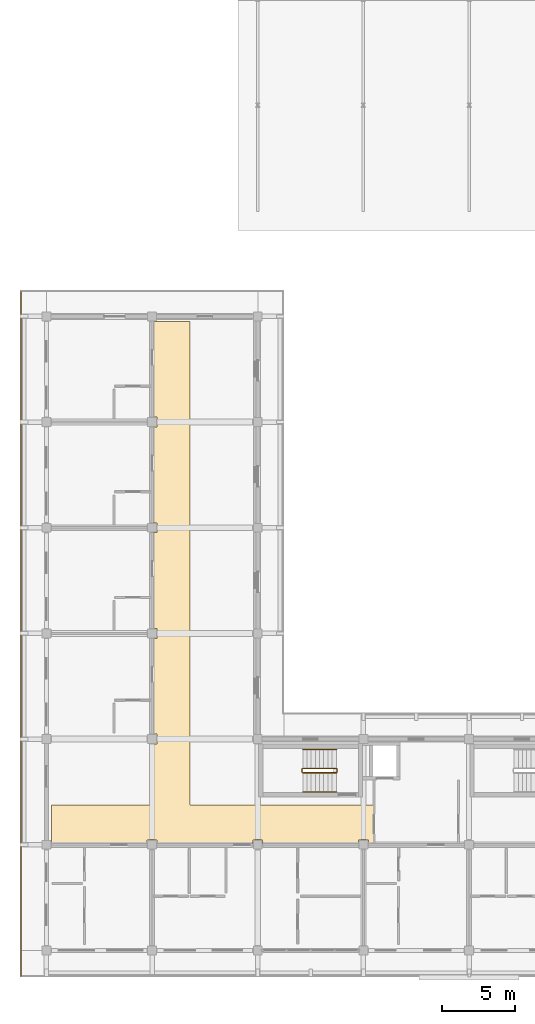
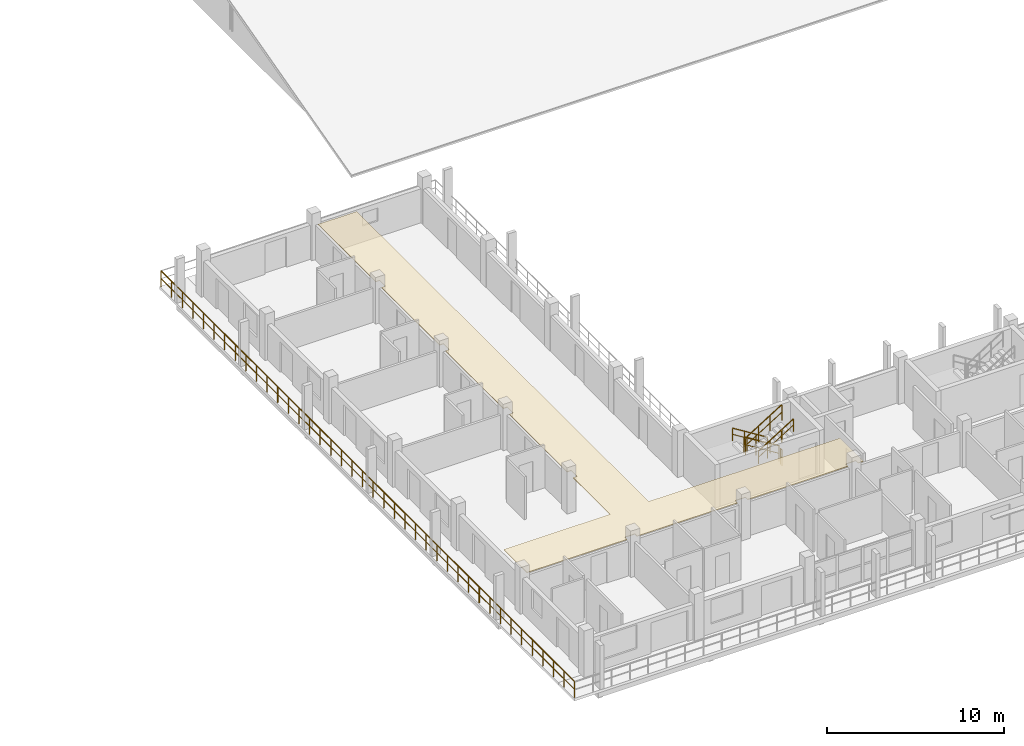
# One storey, part 144 of 157: 7 railings, 1 covering.
"""IFC4 building model written with IfcOpenShell, lengths in metres."""

from ifc_helpers import new_model, si_unit, direction, frame, origin, origin_2d, place, context, subcontext, project, spatial, polyline, rectangle, outline, extrude, material, layer, layer_set, type_object, element, save


model = new_model("IFC4")

# Units and contexts
model_context = context("Model", 3, precision=1e-05, world=origin(), true_north=direction((0.0, 1.0)))
body_context = subcontext(model_context, "Body", "Model", "MODEL_VIEW")
ifc_project = project(units=[si_unit("LENGTHUNIT", "METRE"), si_unit("AREAUNIT", "SQUARE_METRE"), si_unit("VOLUMEUNIT", "CUBIC_METRE"), si_unit("PLANEANGLEUNIT", "RADIAN"), si_unit("MASSUNIT", "GRAM", prefix="KILO")], contexts=[model_context])

# Site, building, storey
site_placement = place(None, origin())
site = spatial("IfcSite", under=ifc_project, at=site_placement, CompositionType="ELEMENT")
building_placement = place(site_placement, origin())
building = spatial("IfcBuilding", under=site, at=building_placement, Name="Suanplinth Sawtooth Commons", CompositionType="ELEMENT")
storey_placement = place(building_placement, frame((0.0, 0.0, 9.0)))
storey = spatial("IfcBuildingStorey", under=building, at=storey_placement, Name="L02", CompositionType="ELEMENT", Elevation=9.0)

# Covering
ifc_material_1 = material(Name="Mineral fibre acoustic tile")
ifc_layer = layer(ifc_material_1, 0.0400390625, Name="Perforated mineral-fibre acoustic suspended ceiling")
ifc_layer_set = layer_set([ifc_layer], Name="Mineral fibre acoustic tile")
covering_type = type_object("IfcCoveringType", Name="CV-CE01", PredefinedType="CEILING", material=ifc_layer_set)
covering_placement = place(storey_placement, frame((0.0, 0.0, 2.3798828125)))
element("IfcCovering", 1, at=covering_placement, inside=storey, type_object=covering_type, Name="L02 Block D Corridor Acoustic Ceiling", PredefinedType="CEILING", context=body_context, shape_type="SweptSolid", body=[
    extrude(outline(polyline([(0.360107421875, 9.89990234375), (7.280029296875, 9.89990234375), (7.280029296875, 14.070068359375), (7.530029296875, 14.070068359375), (7.530029296875, 14.72998046875), (7.280029296875, 14.72998046875), (7.280029296875, 21.27001953125), (7.530029296875, 21.27001953125), (7.530029296875, 21.929931640625), (7.280029296875, 21.929931640625), (7.280029296875, 28.469970703125), (7.530029296875, 28.469970703125), (7.530029296875, 29.1298828125), (7.280029296875, 29.1298828125), (7.280029296875, 35.669921875), (7.530029296875, 35.669921875), (7.530029296875, 36.330078125), (7.280029296875, 36.330078125), (7.280029296875, 42.840087890625), (9.800048828125, 42.840087890625), (9.800048828125, 9.89990234375), (22.280029296875, 9.89990234375), (22.280029296875, 7.280029296875), (21.929931640625, 7.280029296875), (21.929931640625, 7.530029296875), (21.27001953125, 7.530029296875), (21.27001953125, 7.280029296875), (14.72998046875, 7.280029296875), (14.72998046875, 7.530029296875), (14.070068359375, 7.530029296875), (14.070068359375, 7.280029296875), (7.530029296875, 7.280029296875), (7.530029296875, 7.530029296875), (6.8701171875, 7.530029296875), (6.8701171875, 7.280029296875), (0.360107421875, 7.280029296875), (0.360107421875, 9.89990234375)])), origin(), (0.0, 0.0, 1.0), 0.0400390625),
])

# Railings
ifc_material_2 = material(Name="Powder-coated galvanized steel", Category="steel")
railing_type_1 = type_object("IfcRailingType", Name="GR-01", PredefinedType="BALUSTRADE", material=ifc_material_2)
railing_1_placement = place(storey_placement, frame((-1.739990234375, -1.739990234375, 0.0)))
element("IfcRailing", 2, at=railing_1_placement, inside=storey, type_object=railing_type_1, Name="L02 Block D Perimeter Balustrade 1", PredefinedType="BALUSTRADE", context=body_context, shape_type="SweptSolid", body=[
    extrude(rectangle(XDim=0.048095703125, YDim=0.048095703125, at=origin_2d()), frame((0.0, 0.0, 1.09619140625), z_axis=(0.0, 1.0, 0.0), x_axis=(-1.0, 0.0, 0.0)), (0.0, 0.0, 1.0), 46.679931640625),
    extrude(rectangle(XDim=0.03369140625, YDim=0.03369140625, at=origin_2d()), frame((0.0, 0.0, 0.56005859375), z_axis=(0.0, 1.0, 0.0), x_axis=(-1.0, 0.0, 0.0)), (0.0, 0.0, 1.0), 46.679931640625),
    extrude(rectangle(XDim=0.0419921875, YDim=0.0419921875, at=origin_2d()), origin(), (0.0, 0.0, 1.0), 1.072021484375),
    extrude(rectangle(XDim=0.0419921875, YDim=0.0419921875, at=origin_2d()), frame((0.0, 1.197021484375, 0.0)), (0.0, 0.0, 1.0), 1.072021484375),
    extrude(rectangle(XDim=0.0419921875, YDim=0.0419921875, at=origin_2d()), frame((0.0, 2.393798828125, 0.0)), (0.0, 0.0, 1.0), 1.072021484375),
    extrude(rectangle(XDim=0.0419921875, YDim=0.0419921875, at=origin_2d()), frame((0.0, 3.5908203125, 0.0)), (0.0, 0.0, 1.0), 1.072021484375),
    extrude(rectangle(XDim=0.0419921875, YDim=0.0419921875, at=origin_2d()), frame((0.0, 4.78759765625, 0.0)), (0.0, 0.0, 1.0), 1.072021484375),
    extrude(rectangle(XDim=0.0419921875, YDim=0.0419921875, at=origin_2d()), frame((0.0, 5.984619140625, 0.0)), (0.0, 0.0, 1.0), 1.072021484375),
    extrude(rectangle(XDim=0.0419921875, YDim=0.0419921875, at=origin_2d()), frame((0.0, 7.181640625, 0.0)), (0.0, 0.0, 1.0), 1.072021484375),
    extrude(rectangle(XDim=0.0419921875, YDim=0.0419921875, at=origin_2d()), frame((0.0, 8.37841796875, 0.0)), (0.0, 0.0, 1.0), 1.072021484375),
    extrude(rectangle(XDim=0.0419921875, YDim=0.0419921875, at=origin_2d()), frame((0.0, 9.575439453125, 0.0)), (0.0, 0.0, 1.0), 1.072021484375),
    extrude(rectangle(XDim=0.0419921875, YDim=0.0419921875, at=origin_2d()), frame((0.0, 10.772216796875, 0.0)), (0.0, 0.0, 1.0), 1.072021484375),
    extrude(rectangle(XDim=0.0419921875, YDim=0.0419921875, at=origin_2d()), frame((0.0, 11.96923828125, 0.0)), (0.0, 0.0, 1.0), 1.072021484375),
    extrude(rectangle(XDim=0.0419921875, YDim=0.0419921875, at=origin_2d()), frame((0.0, 13.166015625, 0.0)), (0.0, 0.0, 1.0), 1.072021484375),
    extrude(rectangle(XDim=0.0419921875, YDim=0.0419921875, at=origin_2d()), frame((0.0, 14.363037109375, 0.0)), (0.0, 0.0, 1.0), 1.072021484375),
    extrude(rectangle(XDim=0.0419921875, YDim=0.0419921875, at=origin_2d()), frame((0.0, 15.56005859375, 0.0)), (0.0, 0.0, 1.0), 1.072021484375),
    extrude(rectangle(XDim=0.0419921875, YDim=0.0419921875, at=origin_2d()), frame((0.0, 16.7568359375, 0.0)), (0.0, 0.0, 1.0), 1.072021484375),
    extrude(rectangle(XDim=0.0419921875, YDim=0.0419921875, at=origin_2d()), frame((0.0, 17.953857421875, 0.0)), (0.0, 0.0, 1.0), 1.072021484375),
    extrude(rectangle(XDim=0.0419921875, YDim=0.0419921875, at=origin_2d()), frame((0.0, 19.150634765625, 0.0)), (0.0, 0.0, 1.0), 1.072021484375),
    extrude(rectangle(XDim=0.0419921875, YDim=0.0419921875, at=origin_2d()), frame((0.0, 20.34765625, 0.0)), (0.0, 0.0, 1.0), 1.072021484375),
    extrude(rectangle(XDim=0.0419921875, YDim=0.0419921875, at=origin_2d()), frame((0.0, 21.544677734375, 0.0)), (0.0, 0.0, 1.0), 1.072021484375),
    extrude(rectangle(XDim=0.0419921875, YDim=0.0419921875, at=origin_2d()), frame((0.0, 22.741455078125, 0.0)), (0.0, 0.0, 1.0), 1.072021484375),
    extrude(rectangle(XDim=0.0419921875, YDim=0.0419921875, at=origin_2d()), frame((0.0, 23.9384765625, 0.0)), (0.0, 0.0, 1.0), 1.072021484375),
    extrude(rectangle(XDim=0.0419921875, YDim=0.0419921875, at=origin_2d()), frame((0.0, 25.13525390625, 0.0)), (0.0, 0.0, 1.0), 1.072021484375),
    extrude(rectangle(XDim=0.0419921875, YDim=0.0419921875, at=origin_2d()), frame((0.0, 26.332275390625, 0.0)), (0.0, 0.0, 1.0), 1.072021484375),
    extrude(rectangle(XDim=0.0419921875, YDim=0.0419921875, at=origin_2d()), frame((0.0, 27.529296875, 0.0)), (0.0, 0.0, 1.0), 1.072021484375),
    extrude(rectangle(XDim=0.0419921875, YDim=0.0419921875, at=origin_2d()), frame((0.0, 28.72607421875, 0.0)), (0.0, 0.0, 1.0), 1.072021484375),
    extrude(rectangle(XDim=0.0419921875, YDim=0.0419921875, at=origin_2d()), frame((0.0, 29.923095703125, 0.0)), (0.0, 0.0, 1.0), 1.072021484375),
    extrude(rectangle(XDim=0.0419921875, YDim=0.0419921875, at=origin_2d()), frame((0.0, 31.119873046875, 0.0)), (0.0, 0.0, 1.0), 1.072021484375),
    extrude(rectangle(XDim=0.0419921875, YDim=0.0419921875, at=origin_2d()), frame((0.0, 32.31689453125, 0.0)), (0.0, 0.0, 1.0), 1.072021484375),
    extrude(rectangle(XDim=0.0419921875, YDim=0.0419921875, at=origin_2d()), frame((0.0, 33.513916015625, 0.0)), (0.0, 0.0, 1.0), 1.072021484375),
    extrude(rectangle(XDim=0.0419921875, YDim=0.0419921875, at=origin_2d()), frame((0.0, 34.710693359375, 0.0)), (0.0, 0.0, 1.0), 1.072021484375),
    extrude(rectangle(XDim=0.0419921875, YDim=0.0419921875, at=origin_2d()), frame((0.0, 35.90771484375, 0.0)), (0.0, 0.0, 1.0), 1.072021484375),
    extrude(rectangle(XDim=0.0419921875, YDim=0.0419921875, at=origin_2d()), frame((0.0, 37.1044921875, 0.0)), (0.0, 0.0, 1.0), 1.072021484375),
    extrude(rectangle(XDim=0.0419921875, YDim=0.0419921875, at=origin_2d()), frame((0.0, 38.301513671875, 0.0)), (0.0, 0.0, 1.0), 1.072021484375),
    extrude(rectangle(XDim=0.0419921875, YDim=0.0419921875, at=origin_2d()), frame((0.0, 39.498291015625, 0.0)), (0.0, 0.0, 1.0), 1.072021484375),
    extrude(rectangle(XDim=0.0419921875, YDim=0.0419921875, at=origin_2d()), frame((0.0, 40.6953125, 0.0)), (0.0, 0.0, 1.0), 1.072021484375),
    extrude(rectangle(XDim=0.0419921875, YDim=0.0419921875, at=origin_2d()), frame((0.0, 41.892333984375, 0.0)), (0.0, 0.0, 1.0), 1.072021484375),
    extrude(rectangle(XDim=0.0419921875, YDim=0.0419921875, at=origin_2d()), frame((0.0, 43.089111328125, 0.0)), (0.0, 0.0, 1.0), 1.072021484375),
    extrude(rectangle(XDim=0.0419921875, YDim=0.0419921875, at=origin_2d()), frame((0.0, 44.2861328125, 0.0)), (0.0, 0.0, 1.0), 1.072021484375),
    extrude(rectangle(XDim=0.0419921875, YDim=0.0419921875, at=origin_2d()), frame((0.0, 45.48291015625, 0.0)), (0.0, 0.0, 1.0), 1.072021484375),
    extrude(rectangle(XDim=0.0419921875, YDim=0.0419921875, at=origin_2d()), frame((0.0, 46.679931640625, 0.0)), (0.0, 0.0, 1.0), 1.072021484375),
])
ifc_material_3 = material(Name="Stainless steel Grade 304", Category="steel")
railing_type_2 = type_object("IfcRailingType", Name="GR-04", PredefinedType="GUARDRAIL", material=ifc_material_3)
railing_2_placement = place(storey_placement, frame((19.75, 12.39990234375, 0.177734375)))
element("IfcRailing", 3, at=railing_2_placement, inside=storey, type_object=railing_type_2, Name="L02 ST-W1 Guard 1", PredefinedType="GUARDRAIL", context=body_context, shape_type="SweptSolid", body=[
    extrude(rectangle(XDim=0.048095703125, YDim=0.048095703125, at=origin_2d()), frame((0.0, 0.0, 1.076171875), z_axis=(-0.848442045328, 0.0, 0.529288291689), x_axis=(0.0, -1.0, 0.0)), (0.0, 0.0, 1.0), 2.687255859375),
    extrude(rectangle(XDim=0.03369140625, YDim=0.03369140625, at=origin_2d()), frame((0.0, 0.0, 0.550048828125), z_axis=(-0.848442045328, 0.0, 0.529288291689), x_axis=(0.0, -1.0, 0.0)), (0.0, 0.0, 1.0), 2.687255859375),
    extrude(rectangle(XDim=0.0419921875, YDim=0.0419921875, at=origin_2d()), origin(), (0.0, 0.0, 1.0), 1.052001953125),
    extrude(rectangle(XDim=0.0419921875, YDim=0.0419921875, at=origin_2d()), frame((-0.760009765625, 0.0, 0.47412109375)), (0.0, 0.0, 1.0), 1.052001953125),
    extrude(rectangle(XDim=0.0419921875, YDim=0.0419921875, at=origin_2d()), frame((-1.52001953125, 0.0, 0.9482421875)), (0.0, 0.0, 1.0), 1.052001953125),
    extrude(rectangle(XDim=0.0419921875, YDim=0.0419921875, at=origin_2d()), frame((-2.280029296875, 0.0, 1.42236328125)), (0.0, 0.0, 1.0), 1.052001953125),
])
railing_3_placement = place(storey_placement, frame((17.419921875, 12.35009765625, 1.60009765625)))
element("IfcRailing", 4, at=railing_3_placement, inside=storey, type_object=railing_type_2, Name="L02 ST-W1 Guard 2", PredefinedType="GUARDRAIL", context=body_context, shape_type="SweptSolid", body=[
    extrude(rectangle(XDim=0.048095703125, YDim=0.048095703125, at=origin_2d()), frame((0.0, 0.0, 1.076171875), z_axis=(0.0, -1.0, 0.0), x_axis=(1.0, 0.0, 0.0)), (0.0, 0.0, 1.0), 0.2001953125),
    extrude(rectangle(XDim=0.03369140625, YDim=0.03369140625, at=origin_2d()), frame((0.0, 0.0, 0.550048828125), z_axis=(0.0, -1.0, 0.0), x_axis=(1.0, 0.0, 0.0)), (0.0, 0.0, 1.0), 0.2001953125),
    extrude(rectangle(XDim=0.0419921875, YDim=0.0419921875, at=origin_2d()), origin(), (0.0, 0.0, 1.0), 1.052001953125),
    extrude(rectangle(XDim=0.0419921875, YDim=0.0419921875, at=origin_2d()), frame((0.0, -0.2001953125, 0.0)), (0.0, 0.0, 1.0), 1.052001953125),
])
railing_4_placement = place(storey_placement, frame((17.469970703125, 12.10009765625, 1.77783203125)))
element("IfcRailing", 5, at=railing_4_placement, inside=storey, type_object=railing_type_2, Name="L02 ST-W1 Guard 3", PredefinedType="GUARDRAIL", context=body_context, shape_type="SweptSolid", body=[
    extrude(rectangle(XDim=0.048095703125, YDim=0.048095703125, at=origin_2d()), frame((0.0, 0.0, 1.076171875), z_axis=(0.848482842525, 0.0, 0.529222888715), x_axis=(0.0, 1.0, 0.0)), (0.0, 0.0, 1.0), 2.687255859375),
    extrude(rectangle(XDim=0.03369140625, YDim=0.03369140625, at=origin_2d()), frame((0.0, 0.0, 0.550048828125), z_axis=(0.848482842525, 0.0, 0.529222888715), x_axis=(0.0, 1.0, 0.0)), (0.0, 0.0, 1.0), 2.687255859375),
    extrude(rectangle(XDim=0.0419921875, YDim=0.0419921875, at=origin_2d()), origin(), (0.0, 0.0, 1.0), 1.052001953125),
    extrude(rectangle(XDim=0.0419921875, YDim=0.0419921875, at=origin_2d()), frame((0.760009765625, 0.0, 0.47412109375)), (0.0, 0.0, 1.0), 1.052001953125),
    extrude(rectangle(XDim=0.0419921875, YDim=0.0419921875, at=origin_2d()), frame((1.52001953125, 0.0, 0.947998046875)), (0.0, 0.0, 1.0), 1.052001953125),
    extrude(rectangle(XDim=0.0419921875, YDim=0.0419921875, at=origin_2d()), frame((2.280029296875, 0.0, 1.422119140625)), (0.0, 0.0, 1.0), 1.052001953125),
])
railing_5_placement = place(storey_placement, frame((19.800048828125, 12.35009765625, 0.0)))
element("IfcRailing", 6, at=railing_5_placement, inside=storey, type_object=railing_type_2, Name="L02 ST-W1 Guard 4", PredefinedType="GUARDRAIL", context=body_context, shape_type="SweptSolid", body=[
    extrude(rectangle(XDim=0.048095703125, YDim=0.048095703125, at=origin_2d()), frame((0.0, 0.0, 1.076171875), z_axis=(0.0, -1.0, 0.0), x_axis=(1.0, 0.0, 0.0)), (0.0, 0.0, 1.0), 0.2001953125),
    extrude(rectangle(XDim=0.03369140625, YDim=0.03369140625, at=origin_2d()), frame((0.0, 0.0, 0.550048828125), z_axis=(0.0, -1.0, 0.0), x_axis=(1.0, 0.0, 0.0)), (0.0, 0.0, 1.0), 0.2001953125),
    extrude(rectangle(XDim=0.0419921875, YDim=0.0419921875, at=origin_2d()), origin(), (0.0, 0.0, 1.0), 1.052001953125),
    extrude(rectangle(XDim=0.0419921875, YDim=0.0419921875, at=origin_2d()), frame((0.0, -0.2001953125, 0.0)), (0.0, 0.0, 1.0), 1.052001953125),
])
railing_type_3 = type_object("IfcRailingType", Name="HR-01", PredefinedType="HANDRAIL", material=ifc_material_3)
railing_6_placement = place(storey_placement, frame((19.75, 13.699951171875, 0.177734375)))
element("IfcRailing", 7, at=railing_6_placement, inside=storey, type_object=railing_type_3, Name="L02 ST-W1 Handrail 1", PredefinedType="HANDRAIL", context=body_context, shape_type="SweptSolid", body=[
    extrude(rectangle(XDim=0.048095703125, YDim=0.048095703125, at=origin_2d()), frame((0.0, 0.0, 0.8759765625), z_axis=(-0.848442045328, 0.0, 0.529288291689), x_axis=(0.0, -1.0, 0.0)), (0.0, 0.0, 1.0), 2.687255859375),
    extrude(rectangle(XDim=0.03369140625, YDim=0.03369140625, at=origin_2d()), frame((0.0, 0.0, 0.449951171875), z_axis=(-0.848442045328, 0.0, 0.529288291689), x_axis=(0.0, -1.0, 0.0)), (0.0, 0.0, 1.0), 2.687255859375),
    extrude(rectangle(XDim=0.0419921875, YDim=0.0419921875, at=origin_2d()), origin(), (0.0, 0.0, 1.0), 0.851806640625),
    extrude(rectangle(XDim=0.0419921875, YDim=0.0419921875, at=origin_2d()), frame((-0.760009765625, 0.0, 0.47412109375)), (0.0, 0.0, 1.0), 0.851806640625),
    extrude(rectangle(XDim=0.0419921875, YDim=0.0419921875, at=origin_2d()), frame((-1.52001953125, 0.0, 0.9482421875)), (0.0, 0.0, 1.0), 0.851806640625),
    extrude(rectangle(XDim=0.0419921875, YDim=0.0419921875, at=origin_2d()), frame((-2.280029296875, 0.0, 1.42236328125)), (0.0, 0.0, 1.0), 0.851806640625),
])
railing_7_placement = place(storey_placement, frame((17.469970703125, 10.800048828125, 1.77783203125)))
element("IfcRailing", 8, at=railing_7_placement, inside=storey, type_object=railing_type_3, Name="L02 ST-W1 Handrail 2", PredefinedType="HANDRAIL", context=body_context, shape_type="SweptSolid", body=[
    extrude(rectangle(XDim=0.048095703125, YDim=0.048095703125, at=origin_2d()), frame((0.0, 0.0, 0.8759765625), z_axis=(0.848482842525, 0.0, 0.529222888715), x_axis=(0.0, 1.0, 0.0)), (0.0, 0.0, 1.0), 2.687255859375),
    extrude(rectangle(XDim=0.03369140625, YDim=0.03369140625, at=origin_2d()), frame((0.0, 0.0, 0.449951171875), z_axis=(0.848482842525, 0.0, 0.529222888715), x_axis=(0.0, 1.0, 0.0)), (0.0, 0.0, 1.0), 2.687255859375),
    extrude(rectangle(XDim=0.0419921875, YDim=0.0419921875, at=origin_2d()), origin(), (0.0, 0.0, 1.0), 0.851806640625),
    extrude(rectangle(XDim=0.0419921875, YDim=0.0419921875, at=origin_2d()), frame((0.760009765625, 0.0, 0.47412109375)), (0.0, 0.0, 1.0), 0.851806640625),
    extrude(rectangle(XDim=0.0419921875, YDim=0.0419921875, at=origin_2d()), frame((1.52001953125, 0.0, 0.947998046875)), (0.0, 0.0, 1.0), 0.851806640625),
    extrude(rectangle(XDim=0.0419921875, YDim=0.0419921875, at=origin_2d()), frame((2.280029296875, 0.0, 1.422119140625)), (0.0, 0.0, 1.0), 0.851806640625),
])

save(model, "model.ifc")
